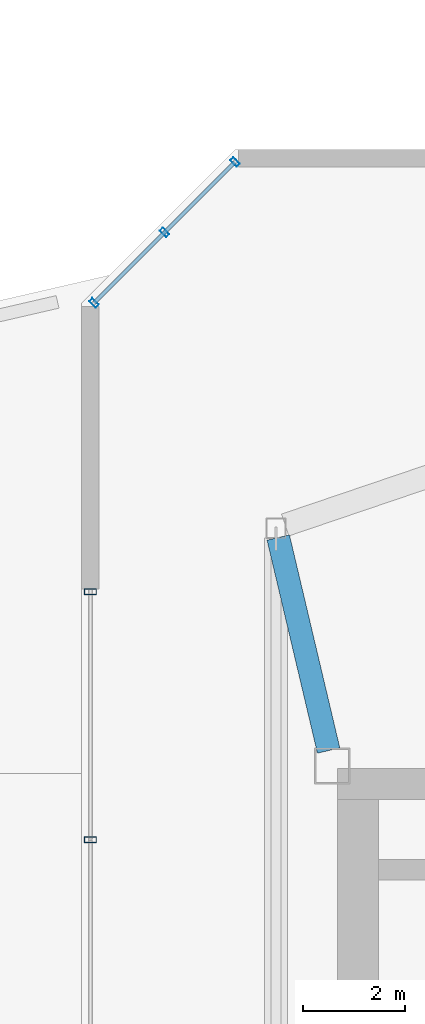
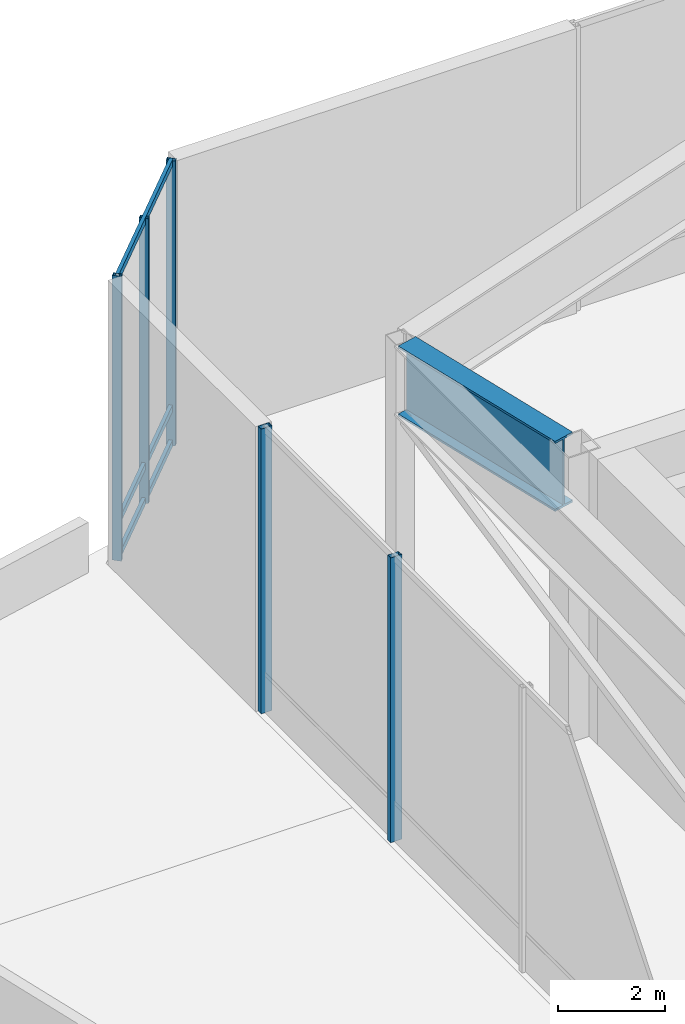
# One storey, part 12 of 25: 8 members, 1 beam, 2 elements without a shape of their own.
"""IFC4 building model written with IfcOpenShell, lengths in metres."""

from ifc_helpers import new_model, si_unit, direction, frame, origin, origin_2d, place, context, subcontext, project, spatial, hollow_rectangle, i_section, extrude, material, layer, layer_set, material_profile, profile_set, type_object, element, aggregate, save


model = new_model("IFC4")

# Units and contexts
model_context = context("Model", 3, precision=1e-05, world=origin(), true_north=direction((0.0, 1.0)))
body_context = subcontext(model_context, "Body", "Model", "MODEL_VIEW")
ifc_project = project(units=[si_unit("LENGTHUNIT", "METRE"), si_unit("AREAUNIT", "SQUARE_METRE"), si_unit("VOLUMEUNIT", "CUBIC_METRE"), si_unit("PLANEANGLEUNIT", "RADIAN"), si_unit("MASSUNIT", "GRAM", prefix="KILO")], contexts=[model_context])

# Site, building, storey
site_placement = place(None, origin())
site = spatial("IfcSite", under=ifc_project, at=site_placement, CompositionType="ELEMENT")
building_placement = place(site_placement, origin())
building = spatial("IfcBuilding", under=site, at=building_placement, Name="Tavrogorsk Clinical Tower", CompositionType="ELEMENT")
storey_placement = place(building_placement, frame((0.0, 0.0, 333.0)))
storey = spatial("IfcBuildingStorey", under=building, at=storey_placement, Name="L78", CompositionType="ELEMENT", Elevation=333.0)

# Curtain wall, members
ifc_material_1 = material(Name="Anodised aluminium and triple IGU glazing", Category="aluminium")
ifc_layer = layer(ifc_material_1, 0.179931640625)
ifc_layer_set = layer_set([ifc_layer], Name="Anodised aluminium and triple IGU glazing")
curtain_wall_type = type_object("IfcCurtainWallType", Name="CW6_TmdLantern", PredefinedType="NOTDEFINED", material=ifc_layer_set)
curtain_wall_1_placement = place(storey_placement, origin())
curtain_wall_1 = element("IfcCurtainWall", 1, at=curtain_wall_1_placement, inside=storey, type_object=curtain_wall_type, Name="L78 Curtain Wall CW-L78-TMD-3", PredefinedType="NOTDEFINED")
ifc_material_2 = material(Name="Anodised aluminium alloy AW-6060", Category="aluminium")
ifc_material_profile_1 = material_profile(ifc_material_2, hollow_rectangle(XDim=0.090087890625, YDim=0.179931640625, WallThickness=0.00634765625, at=origin_2d()), Name="RHS-180x90x6.3")
ifc_profile_set_1 = profile_set([ifc_material_profile_1], Name="Anodised aluminium alloy AW-6060")
member_type_1 = type_object("IfcMemberType", Name="CwMullion_180x90", PredefinedType="MULLION", material=ifc_profile_set_1)
member_1_placement = place(storey_placement, frame((-26.755859375, 15.40380859375, 0.0), z_axis=(0.0, 0.0, 1.0), x_axis=(0.707106781187, 0.707106781187, 0.0)))
member_1 = element("IfcMember", 2, at=member_1_placement, type_object=member_type_1, Name="CW-L78-TMD-3 Mullion 1", PredefinedType="MULLION", context=body_context, shape_type="SweptSolid", body=[
    extrude(hollow_rectangle(XDim=0.090087890625, YDim=0.179931640625, WallThickness=0.00634765625, at=origin_2d()), origin(), (0.0, 0.0, 1.0), 6.5),
])
member_2_placement = place(storey_placement, frame((-25.3798828125, 16.77978515625, 0.0), z_axis=(0.0, 0.0, 1.0), x_axis=(0.707106781187, 0.707106781187, 0.0)))
member_2 = element("IfcMember", 3, at=member_2_placement, type_object=member_type_1, Name="CW-L78-TMD-3 Mullion 2", PredefinedType="MULLION", context=body_context, shape_type="SweptSolid", body=[
    extrude(hollow_rectangle(XDim=0.090087890625, YDim=0.179931640625, WallThickness=0.00634765625, at=origin_2d()), origin(), (0.0, 0.0, 1.0), 6.5),
])
member_3_placement = place(storey_placement, frame((-24.00390625, 18.15576171875, 0.0), z_axis=(0.0, 0.0, 1.0), x_axis=(0.707106781187, 0.707106781187, 0.0)))
member_3 = element("IfcMember", 4, at=member_3_placement, type_object=member_type_1, Name="CW-L78-TMD-3 Mullion 3", PredefinedType="MULLION", context=body_context, shape_type="SweptSolid", body=[
    extrude(hollow_rectangle(XDim=0.090087890625, YDim=0.179931640625, WallThickness=0.00634765625, at=origin_2d()), origin(), (0.0, 0.0, 1.0), 6.5),
])

curtain_wall_2_placement = place(storey_placement, origin())
curtain_wall_2 = element("IfcCurtainWall", 5, at=curtain_wall_2_placement, inside=storey, type_object=curtain_wall_type, Name="L78 Curtain Wall CW-L78-TMD-2", PredefinedType="NOTDEFINED")
ifc_material_3 = material(Name="Anodised aluminium alloy AW-6060", Category="aluminium")
ifc_material_profile_2 = material_profile(ifc_material_3, hollow_rectangle(XDim=0.1201171875, YDim=0.239990234375, WallThickness=0.008056640625, at=origin_2d()), Name="RHS-240x120x8")
ifc_profile_set_2 = profile_set([ifc_material_profile_2], Name="Anodised aluminium alloy AW-6060")
member_type_2 = type_object("IfcMemberType", Name="CwMullion_240x120", PredefinedType="MULLION", material=ifc_profile_set_2)
member_4_placement = place(storey_placement, frame((-26.830078125, 4.907958984375, 0.0), z_axis=(0.0, 0.0, 1.0), x_axis=(0.0, 1.0, 0.0)))
member_4 = element("IfcMember", 6, at=member_4_placement, type_object=member_type_2, Name="CW-L78-TMD-2 Mullion 4", PredefinedType="MULLION", context=body_context, shape_type="SweptSolid", body=[
    extrude(hollow_rectangle(XDim=0.1201171875, YDim=0.239990234375, WallThickness=0.008056640625, at=origin_2d()), origin(), (0.0, 0.0, 1.0), 6.5),
])
member_5_placement = place(storey_placement, frame((-26.830078125, 9.75537109375, 0.0), z_axis=(0.0, 0.0, 1.0), x_axis=(0.0, 1.0, 0.0)))
member_5 = element("IfcMember", 7, at=member_5_placement, type_object=member_type_2, Name="CW-L78-TMD-2 Mullion 5", PredefinedType="MULLION", context=body_context, shape_type="SweptSolid", body=[
    extrude(hollow_rectangle(XDim=0.1201171875, YDim=0.239990234375, WallThickness=0.008056640625, at=origin_2d()), origin(), (0.0, 0.0, 1.0), 6.5),
])
aggregate(curtain_wall_2, [member_4, member_5])

# Member
ifc_material_4 = material(Name="Anodised aluminium alloy AW-6060", Category="aluminium")
ifc_material_profile_3 = material_profile(ifc_material_4, hollow_rectangle(XDim=0.074951171875, YDim=0.14990234375, WallThickness=0.0048828125, at=origin_2d()), Name="RHS-150x75x5")
ifc_profile_set_3 = profile_set([ifc_material_profile_3], Name="Anodised aluminium alloy AW-6060")
member_type_3 = type_object("IfcMemberType", Name="CwTransom_150x75", PredefinedType="USERDEFINED", material=ifc_profile_set_3)
member_6_placement = place(storey_placement, frame((-26.755859375, 15.40380859375, 0.050048828125), z_axis=(0.707106781187, 0.707106781187, 0.0), x_axis=(-0.707106781187, 0.707106781187, 0.0)))
member_6 = element("IfcMember", 8, at=member_6_placement, type_object=member_type_3, Name="CW-L78-TMD-3 Transom 1", ObjectType="TRANSOM", PredefinedType="USERDEFINED", context=body_context, shape_type="SweptSolid", body=[
    extrude(hollow_rectangle(XDim=0.074951171875, YDim=0.14990234375, WallThickness=0.0048828125, at=origin_2d()), origin(), (0.0, 0.0, 1.0), 3.891845703125),
])

member_7_placement = place(storey_placement, frame((-26.755859375, 15.40380859375, 0.85009765625), z_axis=(0.707106781187, 0.707106781187, 0.0), x_axis=(-0.707106781187, 0.707106781187, 0.0)))
member_7 = element("IfcMember", 9, at=member_7_placement, type_object=member_type_3, Name="CW-L78-TMD-3 Transom 2", ObjectType="TRANSOM", PredefinedType="USERDEFINED", context=body_context, shape_type="SweptSolid", body=[
    extrude(hollow_rectangle(XDim=0.074951171875, YDim=0.14990234375, WallThickness=0.0048828125, at=origin_2d()), origin(), (0.0, 0.0, 1.0), 3.891845703125),
])

member_8_placement = place(storey_placement, frame((-26.755859375, 15.40380859375, 6.449951171875), z_axis=(0.707106781187, 0.707106781187, 0.0), x_axis=(-0.707106781187, 0.707106781187, 0.0)))
member_8 = element("IfcMember", 10, at=member_8_placement, type_object=member_type_3, Name="CW-L78-TMD-3 Transom 3", ObjectType="TRANSOM", PredefinedType="USERDEFINED", context=body_context, shape_type="SweptSolid", body=[
    extrude(hollow_rectangle(XDim=0.074951171875, YDim=0.14990234375, WallThickness=0.0048828125, at=origin_2d()), origin(), (0.0, 0.0, 1.0), 3.891845703125),
])

aggregate(curtain_wall_1, [member_1, member_2, member_3, member_6, member_7, member_8])

# Beam
ifc_material_5 = material(Name="Structural steel S440", Category="steel")
ifc_material_profile_4 = material_profile(ifc_material_5, i_section(OverallWidth=0.449951171875, OverallDepth=1.60009765625, WebThickness=0.031982421875, FlangeThickness=0.050048828125, at=origin_2d()), Name="DK-1600x450x32x50")
ifc_profile_set_4 = profile_set([ifc_material_profile_4], Name="Structural steel S440")
beam_type = type_object("IfcBeamType", Name="TransferGirder_DK1600", PredefinedType="USERDEFINED", material=ifc_profile_set_4)
beam_placement = place(storey_placement, frame((-22.17138671875, 6.651611328125, 5.699951171875), z_axis=(-0.230190528398, 0.973145580392, 0.0), x_axis=(-0.973145580392, -0.230190528398, 0.0)))
element("IfcBeam", 11, at=beam_placement, inside=storey, type_object=beam_type, Name="L78 Crown Radial Beam 09", ObjectType="GIRDER", PredefinedType="USERDEFINED", context=body_context, shape_type="SweptSolid", body=[
    extrude(i_section(OverallWidth=0.449951171875, OverallDepth=1.60009765625, WebThickness=0.031982421875, FlangeThickness=0.050048828125, at=origin_2d()), origin(), (0.0, 0.0, 1.0), 4.278564453125),
])

save(model, "model.ifc")
